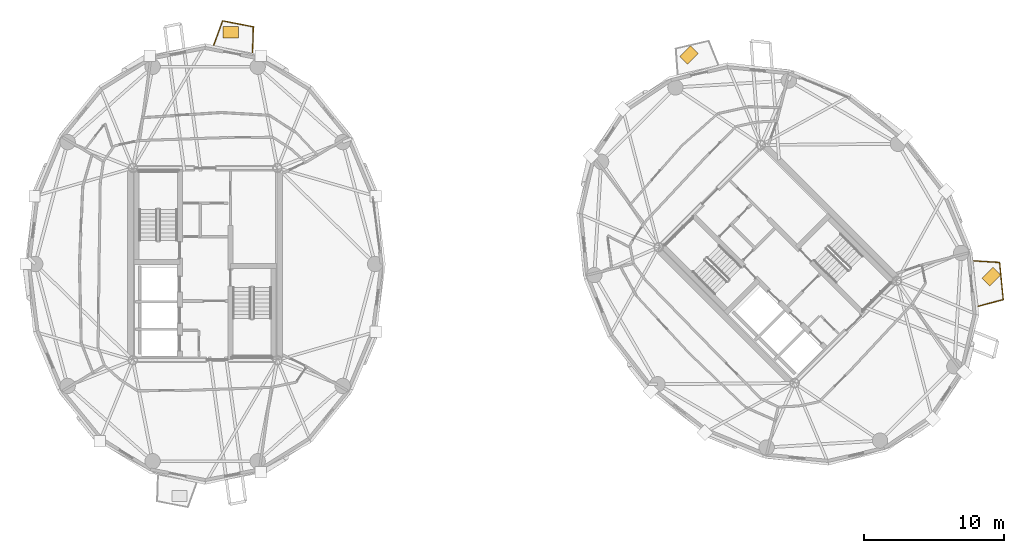
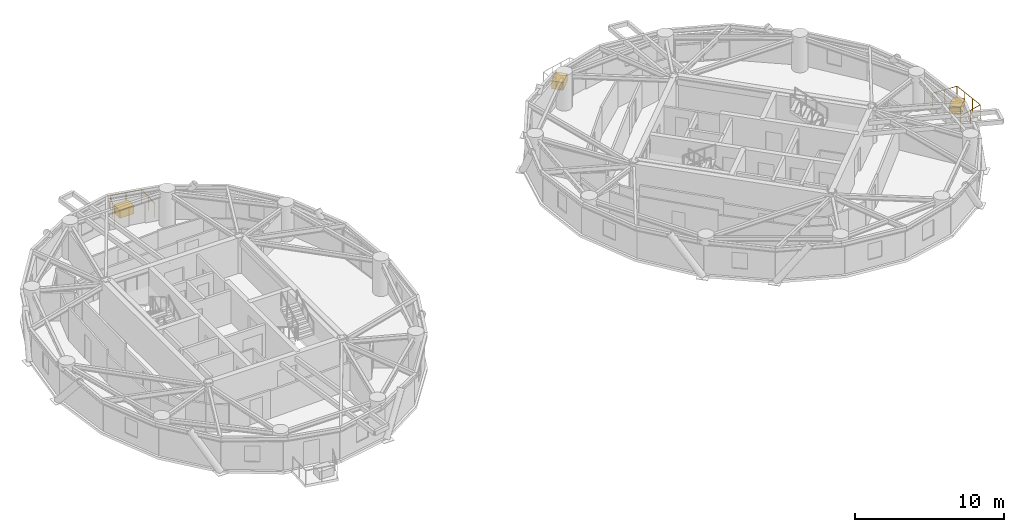
# One storey, part 16 of 16: 3 coverings, 2 railings.
"""IFC4 building model written with IfcOpenShell, lengths in metres."""

from ifc_helpers import new_model, si_unit, direction, frame, origin, origin_2d, place, context, subcontext, project, spatial, rectangle, circle, extrude, source, transform, mapped, material, layer, layer_set, type_object, element, save


model = new_model("IFC4")

# Units and contexts
model_context = context("Model", 3, precision=1e-05, world=origin(), true_north=direction((0.0, 1.0)))
body_context = subcontext(model_context, "Body", "Model", "MODEL_VIEW")
ifc_project = project(units=[si_unit("LENGTHUNIT", "METRE"), si_unit("AREAUNIT", "SQUARE_METRE"), si_unit("VOLUMEUNIT", "CUBIC_METRE"), si_unit("PLANEANGLEUNIT", "RADIAN"), si_unit("MASSUNIT", "GRAM", prefix="KILO")], contexts=[model_context])

# Site, building, storey
site_placement = place(None, origin())
site = spatial("IfcSite", under=ifc_project, at=site_placement, CompositionType="ELEMENT")
building_placement = place(site_placement, origin())
building = spatial("IfcBuilding", under=site, at=building_placement, Name="Cununo Teusaquillo Station Towers", CompositionType="ELEMENT")
storey_placement = place(building_placement, frame((0.0, 0.0, 214.1201171875)))
storey = spatial("IfcBuildingStorey", under=building, at=storey_placement, Name="L68", CompositionType="ELEMENT", Elevation=214.1201171875)

# Railings
ifc_material_1 = material(Name="Anodised dark bronze aluminium EN AW-6063-T6", Category="aluminium")
railing_type = type_object("IfcRailingType", Name="RL-EXT-GUARD", PredefinedType="GUARDRAIL", material=ifc_material_1)
railing_1_placement = place(storey_placement, frame((17.115234375, 40.180419921875, 0.0)))
element("IfcRailing", 1, at=railing_1_placement, inside=storey, type_object=railing_type, Name="L68 Tower A Balcony Guardrail C04", PredefinedType="GUARDRAIL", context=body_context, shape_type="SweptSolid", body=[
    extrude(circle(Radius=0.02392578125, at=origin_2d()), frame((0.0, 0.0, 1.1259765625), z_axis=(0.344196323776, 0.938897699805, 0.0), x_axis=(-0.938897699805, 0.344196323776, 0.0)), (0.0, 0.0, 1.0), 1.844970703125),
    extrude(circle(Radius=0.02392578125, at=origin_2d()), frame((0.635009765625, 1.732177734375, 1.1259765625), z_axis=(0.981834932982, -0.18973709278, 0.0), x_axis=(0.18973709278, 0.981834932982, 0.0)), (0.0, 0.0, 1.0), 2.239013671875),
    extrude(circle(Radius=0.02392578125, at=origin_2d()), frame((2.833251953125, 1.307373046875, 1.1259765625), z_axis=(-0.030305152758, -0.999540693377, 0.0), x_axis=(0.999540693377, -0.030305152758, 0.0)), (0.0, 0.0, 1.0), 1.8447265625),
    extrude(circle(Radius=0.02099609375, at=origin_2d()), origin(), (0.0, 0.0, 1.0), 1.101806640625),
    extrude(circle(Radius=0.02099609375, at=origin_2d()), frame((0.3173828125, 0.8662109375, 0.0)), (0.0, 0.0, 1.0), 1.101806640625),
    extrude(circle(Radius=0.02099609375, at=origin_2d()), frame((0.635009765625, 1.732177734375, 0.0)), (0.0, 0.0, 1.0), 1.101806640625),
    extrude(circle(Radius=0.02099609375, at=origin_2d()), frame((1.734130859375, 1.519775390625, 0.0)), (0.0, 0.0, 1.0), 1.101806640625),
    extrude(circle(Radius=0.02099609375, at=origin_2d()), frame((2.833251953125, 1.307373046875, 0.0)), (0.0, 0.0, 1.0), 1.101806640625),
    extrude(circle(Radius=0.02099609375, at=origin_2d()), frame((2.80517578125, 0.38525390625, 0.0)), (0.0, 0.0, 1.0), 1.101806640625),
    extrude(circle(Radius=0.02099609375, at=origin_2d()), frame((2.77734375, -0.53662109375, 0.0)), (0.0, 0.0, 1.0), 1.101806640625),
])
railing_2_placement = place(storey_placement, frame((71.53662109375, 24.726806640625, 0.0)))
element("IfcRailing", 2, at=railing_2_placement, inside=storey, type_object=railing_type, Name="L68 Tower B Balcony Guardrail C17", PredefinedType="GUARDRAIL", context=body_context, shape_type="SweptSolid", body=[
    extrude(circle(Radius=0.02392578125, at=origin_2d()), frame((0.0, 0.0, 1.1259765625), z_axis=(0.998099930185, -0.061615983027, 0.0), x_axis=(0.061615983027, 0.998099930185, 0.0)), (0.0, 0.0, 1.0), 1.854248046875),
    extrude(circle(Radius=0.02392578125, at=origin_2d()), frame((1.850830078125, -0.1142578125, 1.1259765625), z_axis=(0.098635601058, -0.995123619559, 0.0), x_axis=(0.995123619559, 0.098635601058, 0.0)), (0.0, 0.0, 1.0), 2.673095703125),
    extrude(circle(Radius=0.02392578125, at=origin_2d()), frame((2.114501953125, -2.7744140625, 1.1259765625), z_axis=(-0.966566218565, -0.256417131113, 0.0), x_axis=(0.256417131113, -0.966566218565, 0.0)), (0.0, 0.0, 1.0), 1.854736328125),
    extrude(circle(Radius=0.02099609375, at=origin_2d()), origin(), (0.0, 0.0, 1.0), 1.101806640625),
    extrude(circle(Radius=0.02099609375, at=origin_2d()), frame((0.92529296875, -0.05712890625, 0.0)), (0.0, 0.0, 1.0), 1.101806640625),
    extrude(circle(Radius=0.02099609375, at=origin_2d()), frame((1.850830078125, -0.1142578125, 0.0)), (0.0, 0.0, 1.0), 1.101806640625),
    extrude(circle(Radius=0.02099609375, at=origin_2d()), frame((1.938720703125, -1.0009765625, 0.0)), (0.0, 0.0, 1.0), 1.101806640625),
    extrude(circle(Radius=0.02099609375, at=origin_2d()), frame((2.026611328125, -1.8876953125, 0.0)), (0.0, 0.0, 1.0), 1.101806640625),
    extrude(circle(Radius=0.02099609375, at=origin_2d()), frame((2.114501953125, -2.7744140625, 0.0)), (0.0, 0.0, 1.0), 1.101806640625),
    extrude(circle(Radius=0.02099609375, at=origin_2d()), frame((1.21826171875, -3.01220703125, 0.0)), (0.0, 0.0, 1.0), 1.101806640625),
    extrude(circle(Radius=0.02099609375, at=origin_2d()), frame((0.32177734375, -3.25, 0.0)), (0.0, 0.0, 1.0), 1.101806640625),
])

# Coverings
ifc_material_2 = material(Name="Architectural GRC planter shell and engineered root-zone substrate", Category="concrete")
ifc_layer = layer(ifc_material_2, 0.64990234375)
ifc_layer_set = layer_set([ifc_layer], Name="Architectural GRC planter shell and engineered root-zone substrate")
covering_type = type_object("IfcCoveringType", Name="COV-TREE-PLANTER", PredefinedType="CLADDING", material=ifc_layer_set)
shared_shape = source(origin(), body_context, "Body", "SweptSolid", [
    extrude(rectangle(XDim=1.10009765625, YDim=0.800048828125, at=origin_2d()), origin(), (0.0, 0.0, 1.0), 0.64990234375),
])
for number, where, z_axis, x_axis, name in (
    (3, (18.341796875, 41.102783203125, 0.0), (0.0, 0.0, 1.0), (1.0, 0.0, 0.0), "L68 Tower A Balcony Tree PLANTER C04"),
    (4, (51.147705078125, 39.46240234375, 0.0), (0.0, 0.0, 1.0), (0.707106781187, 0.707106781187, 0.0), "L68 Tower B Balcony Tree PLANTER C03"),
    (5, (72.79638671875, 23.59765625, 0.0), (0.0, 0.0, 1.0), (0.707106781187, 0.707106781187, 0.0), "L68 Tower B Balcony Tree PLANTER C17"),
):
    element("IfcCovering", number, at=place(storey_placement, frame(where, z_axis=z_axis, x_axis=x_axis)), inside=storey, type_object=covering_type, Name=name, PredefinedType="CLADDING", context=body_context, shape_type="MappedRepresentation", body=[
        mapped(shared_shape, transform((0.0, 0.0, 0.0), x_axis=(1.0, 0.0, 0.0), y_axis=(0.0, 1.0, 0.0), z_axis=(0.0, 0.0, 1.0), scale=1.0)),
    ])

save(model, "model.ifc")
